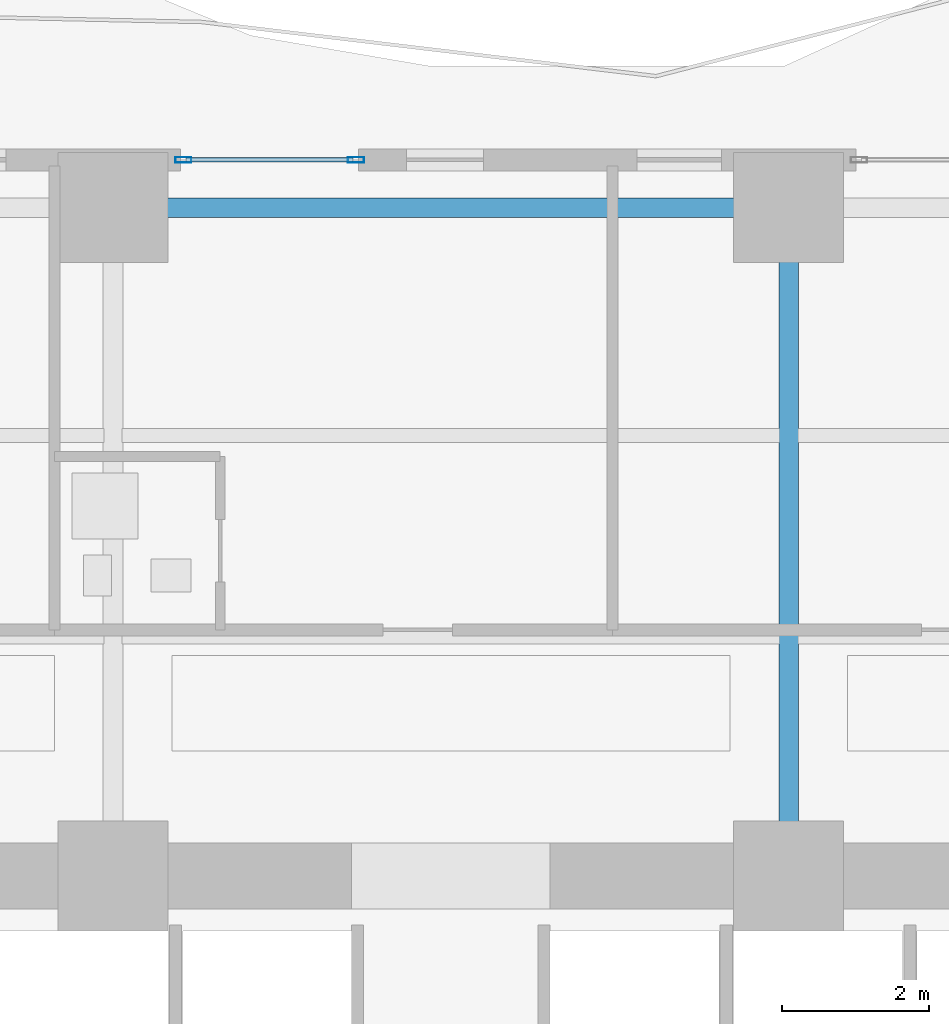
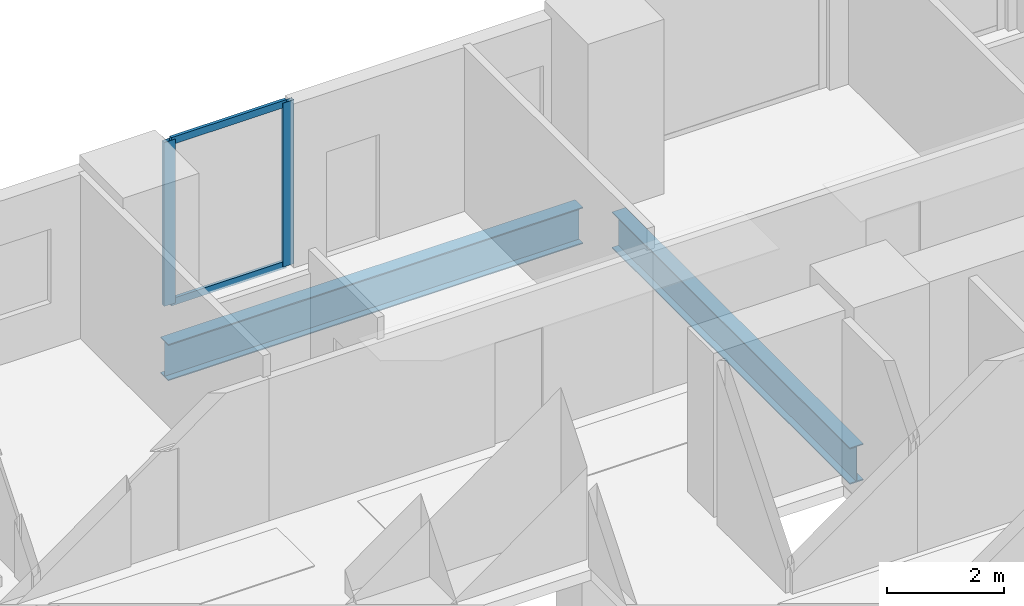
# One storey, part 15 of 28: 4 members, 2 beams, 1 element without a shape of its own.
"""IFC4 building model written with IfcOpenShell, lengths in metres."""

from ifc_helpers import new_model, si_unit, direction, frame, origin, origin_2d, place, context, subcontext, project, spatial, hollow_rectangle, i_section, extrude, material, layer, layer_set, material_profile, profile_set, type_object, element, aggregate, save


model = new_model("IFC4")

# Units and contexts
model_context = context("Model", 3, precision=1e-05, world=origin(), true_north=direction((0.0, 1.0)))
body_context = subcontext(model_context, "Body", "Model", "MODEL_VIEW")
ifc_project = project(units=[si_unit("LENGTHUNIT", "METRE"), si_unit("AREAUNIT", "SQUARE_METRE"), si_unit("VOLUMEUNIT", "CUBIC_METRE"), si_unit("PLANEANGLEUNIT", "RADIAN"), si_unit("MASSUNIT", "GRAM", prefix="KILO")], contexts=[model_context])

# Site, building, storey
site_placement = place(None, origin())
site = spatial("IfcSite", under=ifc_project, at=site_placement, CompositionType="ELEMENT")
building_placement = place(site_placement, origin())
building = spatial("IfcBuilding", under=site, at=building_placement, Name="Zuhayl Quay Hotel", CompositionType="ELEMENT")
storey_placement = place(building_placement, frame((0.0, 0.0, 49.5)))
storey = spatial("IfcBuildingStorey", under=building, at=storey_placement, Name="L11", CompositionType="ELEMENT", Elevation=49.5)

# Beams
ifc_material_1 = material(Name="Steel ASTM A992 Grade 50", Category="steel")
ifc_material_profile_1 = material_profile(ifc_material_1, i_section(OverallWidth=0.26708984375, OverallDepth=0.761962890625, WebThickness=0.014404296875, FlangeThickness=0.021484375, at=origin_2d()), Name="W30X116")
ifc_profile_set_1 = profile_set([ifc_material_profile_1], Name="Steel ASTM A992 Grade 50")
beam_type = type_object("IfcBeamType", Name="BM_B1_W30X116", PredefinedType="BEAM", material=ifc_profile_set_1)
beam_1_placement = place(storey_placement, frame((4.10009765625, 22.449951171875, -0.60107421875), z_axis=(-1.0, 0.0, 0.0), x_axis=(0.0, -1.0, 0.0)))
element("IfcBeam", 1, at=beam_1_placement, inside=storey, type_object=beam_type, Name="L11 Floor Beam RG_L11_08", PredefinedType="BEAM", context=body_context, shape_type="SweptSolid", body=[
    extrude(i_section(OverallWidth=0.26708984375, OverallDepth=0.761962890625, WebThickness=0.014404296875, FlangeThickness=0.021484375, at=origin_2d()), origin(), (0.0, 0.0, 1.0), 8.2001953125),
])
beam_2_placement = place(storey_placement, frame((4.60009765625, 13.800048828125, -0.60107421875), z_axis=(0.0, 1.0, 0.0), x_axis=(-1.0, 0.0, 0.0)))
element("IfcBeam", 2, at=beam_2_placement, inside=storey, type_object=beam_type, Name="L11 Floor Beam FG_N_L11_3", PredefinedType="BEAM", context=body_context, shape_type="SweptSolid", body=[
    extrude(i_section(OverallWidth=0.26708984375, OverallDepth=0.761962890625, WebThickness=0.014404296875, FlangeThickness=0.021484375, at=origin_2d()), origin(), (0.0, 0.0, 1.0), 8.14990234375),
])

# Curtain wall, members
ifc_material_2 = material(Name="Anodised Aluminium 6063-T6", Category="aluminium")
ifc_layer = layer(ifc_material_2, 0.18994140625, Name="Anodised Aluminium 6063-T6", Category="aluminium")
ifc_layer_set = layer_set([ifc_layer], Name="Anodised Aluminium 6063-T6")
curtain_wall_type = type_object("IfcCurtainWallType", Name="CW_SYS_Z1", PredefinedType="USERDEFINED", material=ifc_layer_set)
curtain_wall_placement = place(storey_placement, origin())
curtain_wall = element("IfcCurtainWall", 3, at=curtain_wall_placement, inside=storey, type_object=curtain_wall_type, Name="L11 Curtain Wall ENV_L11_N_CW2", ObjectType="UNITISED CURTAIN WALL", PredefinedType="USERDEFINED")
ifc_material_3 = material(Name="Black-anodised aluminium 6063-T6", Category="aluminium")
ifc_material_profile_2 = material_profile(ifc_material_3, hollow_rectangle(XDim=0.074951171875, YDim=0.219970703125, WallThickness=0.00390625, at=origin_2d()), Name="ALU220X75")
ifc_profile_set_2 = profile_set([ifc_material_profile_2], Name="Black-anodised aluminium 6063-T6")
member_type_1 = type_object("IfcMemberType", Name="MB_CW_MUL_220", PredefinedType="MULLION", material=ifc_profile_set_2)
member_1_placement = place(storey_placement, frame((-3.642578125, 23.10009765625, 0.0), z_axis=(0.0, 0.0, 1.0), x_axis=(0.0, 1.0, 0.0)))
member_1 = element("IfcMember", 4, at=member_1_placement, type_object=member_type_1, Name="CW-Z1 mullion 1", PredefinedType="MULLION", context=body_context, shape_type="SweptSolid", body=[
    extrude(hollow_rectangle(XDim=0.074951171875, YDim=0.219970703125, WallThickness=0.00390625, at=origin_2d()), origin(), (0.0, 0.0, 1.0), 3.429931640625),
])
member_2_placement = place(storey_placement, frame((-1.29248046875, 23.10009765625, 0.0), z_axis=(0.0, 0.0, 1.0), x_axis=(0.0, 1.0, 0.0)))
member_2 = element("IfcMember", 5, at=member_2_placement, type_object=member_type_1, Name="CW-Z1 mullion 2", PredefinedType="MULLION", context=body_context, shape_type="SweptSolid", body=[
    extrude(hollow_rectangle(XDim=0.074951171875, YDim=0.219970703125, WallThickness=0.00390625, at=origin_2d()), origin(), (0.0, 0.0, 1.0), 3.429931640625),
])
ifc_material_profile_3 = material_profile(ifc_material_3, hollow_rectangle(XDim=0.06005859375, YDim=0.14990234375, WallThickness=0.00341796875, at=origin_2d()), Name="ALU150X60")
ifc_profile_set_3 = profile_set([ifc_material_profile_3], Name="Black-anodised aluminium 6063-T6")
member_type_2 = type_object("IfcMemberType", Name="MB_CW_TRN_150", PredefinedType="USERDEFINED", material=ifc_profile_set_3)
member_3_placement = place(storey_placement, frame((-3.60498046875, 23.10009765625, 0.030029296875), z_axis=(1.0, 0.0, 0.0), x_axis=(0.0, 1.0, 0.0)))
member_3 = element("IfcMember", 6, at=member_3_placement, type_object=member_type_2, Name="CW-Z1 transom 1.1", ObjectType="TRANSOM", PredefinedType="USERDEFINED", context=body_context, shape_type="SweptSolid", body=[
    extrude(hollow_rectangle(XDim=0.06005859375, YDim=0.14990234375, WallThickness=0.00341796875, at=origin_2d()), origin(), (0.0, 0.0, 1.0), 2.27490234375),
])
member_4_placement = place(storey_placement, frame((-3.60498046875, 23.10009765625, 3.39990234375), z_axis=(1.0, 0.0, 0.0), x_axis=(0.0, 1.0, 0.0)))
member_4 = element("IfcMember", 7, at=member_4_placement, type_object=member_type_2, Name="CW-Z1 transom 1.2", ObjectType="TRANSOM", PredefinedType="USERDEFINED", context=body_context, shape_type="SweptSolid", body=[
    extrude(hollow_rectangle(XDim=0.06005859375, YDim=0.14990234375, WallThickness=0.00341796875, at=origin_2d()), origin(), (0.0, 0.0, 1.0), 2.27490234375),
])
aggregate(curtain_wall, [member_1, member_2, member_3, member_4])

save(model, "model.ifc")
